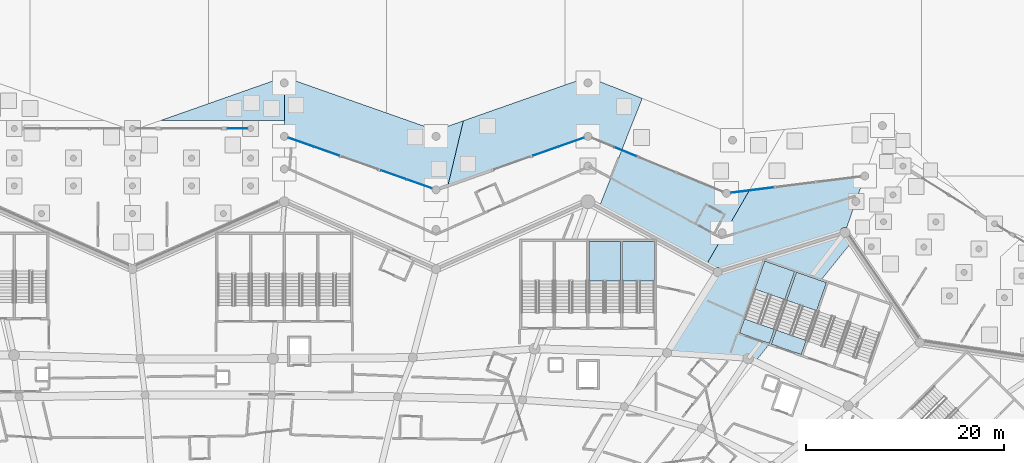
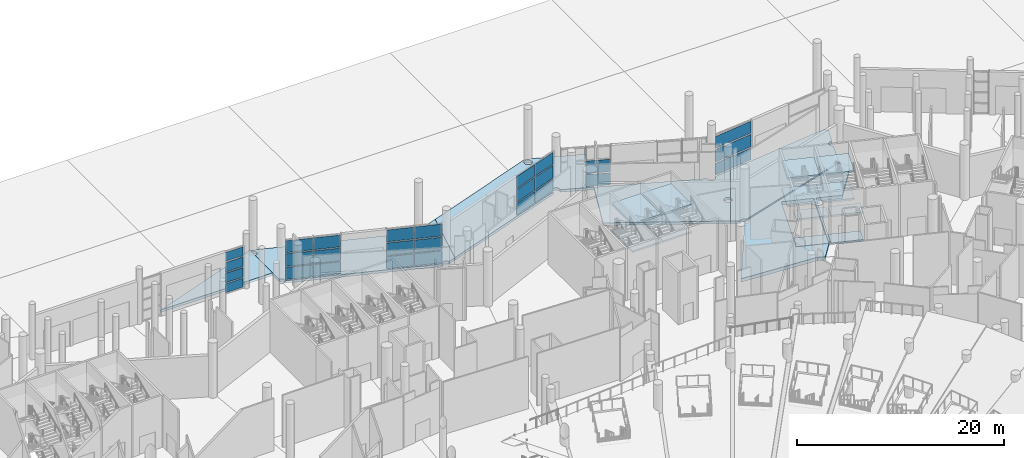
# One storey, part 97 of 255: 27 plates, 18 slabs, 10 elements without a shape of their own.
"""IFC4 building model written with IfcOpenShell, lengths in metres."""

from ifc_helpers import new_model, si_unit, direction, frame, origin, origin_2d, place, context, subcontext, project, spatial, polyline, rectangle, outline, extrude, material, layer, layer_set, type_object, element, aggregate, save


model = new_model("IFC4")

# Units and contexts
model_context = context("Model", 3, precision=1e-05, world=origin(), true_north=direction((0.0, 1.0)))
body_context = subcontext(model_context, "Body", "Model", "MODEL_VIEW")
ifc_project = project(units=[si_unit("LENGTHUNIT", "METRE"), si_unit("AREAUNIT", "SQUARE_METRE"), si_unit("VOLUMEUNIT", "CUBIC_METRE"), si_unit("PLANEANGLEUNIT", "RADIAN"), si_unit("MASSUNIT", "GRAM", prefix="KILO")], contexts=[model_context])

# Site, building, storey
site_placement = place(None, origin())
site = spatial("IfcSite", under=ifc_project, at=site_placement, CompositionType="ELEMENT")
building_placement = place(site_placement, origin())
building = spatial("IfcBuilding", under=site, at=building_placement, Name="Meseta Stadium", CompositionType="ELEMENT")
storey_placement = place(building_placement, origin())
storey = spatial("IfcBuildingStorey", under=building, at=storey_placement, Name="L00", CompositionType="ELEMENT", Elevation=0.0)

# Slabs
ifc_material_1 = material(Name="Concrete C40/50", Category="concrete")
ifc_layer_1 = layer(ifc_material_1, 0.39990234375)
ifc_layer_set_1 = layer_set([ifc_layer_1], Name="Floor slab 400")
slab_type_1 = type_object("IfcSlabType", Name="Floor slab 400", PredefinedType="FLOOR", material=ifc_layer_set_1)
slab_1_placement = place(storey_placement, frame((0.0, 0.0, -0.39990234375)))
element("IfcSlab", 1, at=slab_1_placement, inside=storey, type_object=slab_type_1, Name="Floor slab L00 sector 14 panel 15", PredefinedType="FLOOR", context=body_context, shape_type="SweptSolid", body=[
    extrude(outline(polyline([(59.399169921875, 98.2841796875), (61.8310546875, 97.43310546875), (64.961669921875, 101.312255859375), (64.297607421875, 102.291015625), (51.44140625, 98.29443359375), (46.333251953125, 90.126220703125), (54.523193359375, 89.579345703125), (55.224365234375, 89.246826171875), (57.011962890625, 91.4619140625), (59.399169921875, 98.2841796875)]), holes=[polyline([(56.667236328125, 91.082275390625), (53.646728515625, 92.13916015625), (56.18994140625, 99.406982421875), (59.21044921875, 98.35009765625), (56.667236328125, 91.082275390625)])]), origin(), (0.0, 0.0, 1.0), 0.39990234375),
])
ifc_material_2 = material(Name="Concrete C40/50", Category="concrete")
ifc_layer_2 = layer(ifc_material_2, 0.300048828125)
ifc_layer_set_2 = layer_set([ifc_layer_2], Name="Gate court paving 300")
slab_type_2 = type_object("IfcSlabType", Name="Gate court paving 300", PredefinedType="FLOOR", material=ifc_layer_set_2)
slab_2_placement = place(storey_placement, frame((0.0, 0.0, -0.300048828125)))
element("IfcSlab", 2, at=slab_2_placement, inside=storey, type_object=slab_type_2, Name="Gate 3 court paving", PredefinedType="FLOOR", context=body_context, shape_type="SweptSolid", body=[
    extrude(outline(polyline([(7.666748046875, 113.60009765625), (7.666748046875, 118.0), (-7.666748046875, 112.60009765625), (-4.8271484375, 113.60009765625), (7.666748046875, 113.60009765625)])), origin(), (0.0, 0.0, 1.0), 0.300048828125),
])
ifc_material_3 = material(Name="Concrete C40/50", Category="concrete")
ifc_layer_3 = layer(ifc_material_3, 0.300048828125)
ifc_layer_set_3 = layer_set([ifc_layer_3], Name="Passage paving slab 300")
slab_type_3 = type_object("IfcSlabType", Name="Passage paving slab 300", PredefinedType="FLOOR", material=ifc_layer_set_3)
slab_3_placement = place(storey_placement, frame((0.0, 0.0, -0.300048828125)))
element("IfcSlab", 3, at=slab_3_placement, inside=storey, type_object=slab_type_3, Name="Covered passage paving 2 panel 01", PredefinedType="FLOOR", context=body_context, shape_type="SweptSolid", body=[
    extrude(outline(polyline([(8.056396484375, 112.1044921875), (8.070068359375, 112.0), (8.056396484375, 111.8955078125), (8.04443359375, 111.866943359375), (22.622314453125, 106.733154296875), (22.650634765625, 106.8017578125), (22.714599609375, 106.88525390625), (22.79833984375, 106.949462890625), (22.8955078125, 106.98974609375), (23.0, 107.00341796875), (23.1044921875, 106.98974609375), (23.20166015625, 106.949462890625), (23.285400390625, 106.88525390625), (23.349365234375, 106.8017578125), (23.377685546875, 106.733154296875), (24.195556640625, 107.02099609375), (25.7548828125, 113.5703125), (23.0, 112.60009765625), (7.666748046875, 118.0), (7.666748046875, 117.803466796875), (7.77099609375, 117.789794921875), (7.868408203125, 117.74951171875), (7.951904296875, 117.685302734375), (8.01611328125, 117.601806640625), (8.056396484375, 117.50439453125), (8.070068359375, 117.39990234375), (8.056396484375, 117.295654296875), (8.01611328125, 117.1982421875), (7.951904296875, 117.11474609375), (7.868408203125, 117.050537109375), (7.77099609375, 117.01025390625), (7.666748046875, 116.99658203125), (7.666748046875, 112.403564453125), (7.77099609375, 112.3896484375), (7.868408203125, 112.349365234375), (7.951904296875, 112.285400390625), (8.01611328125, 112.20166015625), (8.056396484375, 112.1044921875)]), holes=[polyline([(23.1044921875, 111.6103515625), (23.0, 111.596435546875), (22.8955078125, 111.6103515625), (22.79833984375, 111.650634765625), (22.714599609375, 111.714599609375), (22.650634765625, 111.79833984375), (22.6103515625, 111.8955078125), (22.596435546875, 112.0), (22.6103515625, 112.1044921875), (22.650634765625, 112.20166015625), (22.714599609375, 112.285400390625), (22.79833984375, 112.349365234375), (22.8955078125, 112.3896484375), (23.0, 112.403564453125), (23.1044921875, 112.3896484375), (23.20166015625, 112.349365234375), (23.285400390625, 112.285400390625), (23.349365234375, 112.20166015625), (23.3896484375, 112.1044921875), (23.403564453125, 112.0), (23.3896484375, 111.8955078125), (23.349365234375, 111.79833984375), (23.285400390625, 111.714599609375), (23.20166015625, 111.650634765625), (23.1044921875, 111.6103515625)])]), origin(), (0.0, 0.0, 1.0), 0.300048828125),
])
slab_4_placement = place(storey_placement, frame((0.0, 0.0, -0.300048828125)))
element("IfcSlab", 4, at=slab_4_placement, inside=storey, type_object=slab_type_3, Name="Covered passage paving 2 panel 02", PredefinedType="FLOOR", context=body_context, shape_type="SweptSolid", body=[
    extrude(outline(polyline([(43.822509765625, 115.8330078125), (38.333251953125, 118.0), (25.7548828125, 113.5703125), (24.195556640625, 107.02099609375), (37.95556640625, 111.866943359375), (37.943603515625, 111.8955078125), (37.929931640625, 112.0), (37.943603515625, 112.1044921875), (37.98388671875, 112.20166015625), (38.048095703125, 112.285400390625), (38.131591796875, 112.349365234375), (38.22900390625, 112.3896484375), (38.333251953125, 112.403564453125), (38.437744140625, 112.3896484375), (38.53515625, 112.349365234375), (38.61865234375, 112.285400390625), (38.6826171875, 112.20166015625), (38.722900390625, 112.1044921875), (38.73681640625, 112.0), (38.722900390625, 111.8955078125), (38.703369140625, 111.847900390625), (41.7451171875, 110.59765625), (43.822509765625, 115.8330078125)]), holes=[polyline([(38.333251953125, 116.99658203125), (38.22900390625, 117.01025390625), (38.131591796875, 117.050537109375), (38.048095703125, 117.11474609375), (37.98388671875, 117.1982421875), (37.943603515625, 117.295654296875), (37.929931640625, 117.39990234375), (37.943603515625, 117.50439453125), (37.98388671875, 117.601806640625), (38.048095703125, 117.685302734375), (38.131591796875, 117.74951171875), (38.22900390625, 117.789794921875), (38.333251953125, 117.803466796875), (38.437744140625, 117.789794921875), (38.53515625, 117.74951171875), (38.61865234375, 117.685302734375), (38.6826171875, 117.601806640625), (38.722900390625, 117.50439453125), (38.73681640625, 117.39990234375), (38.722900390625, 117.295654296875), (38.6826171875, 117.1982421875), (38.61865234375, 117.11474609375), (38.53515625, 117.050537109375), (38.437744140625, 117.01025390625), (38.333251953125, 116.99658203125)])]), origin(), (0.0, 0.0, 1.0), 0.300048828125),
])

# Curtain wall, plates
ifc_material_4 = material(Name="Aluminium", Category="aluminium")
ifc_layer_4 = layer(ifc_material_4, 0.199951171875)
ifc_layer_set_4 = layer_set([ifc_layer_4], Name="Ring shopfront curtain wall")
curtain_wall_type_1 = type_object("IfcCurtainWallType", Name="Ring shopfront curtain wall", PredefinedType="NOTDEFINED", material=ifc_layer_set_4)
curtain_wall_1_placement = place(storey_placement, origin())
curtain_wall_1 = element("IfcCurtainWall", 5, at=curtain_wall_1_placement, inside=storey, type_object=curtain_wall_type_1, Name="Shopfront glazing F14b", PredefinedType="NOTDEFINED")
ifc_material_5 = material(Name="Glass", Category="glass")
ifc_layer_5 = layer(ifc_material_5, 0.035888671875)
ifc_layer_set_5 = layer_set([ifc_layer_5], Name="Ring CW glass panel 36")
plate_type = type_object("IfcPlateType", Name="Ring CW glass panel 36", PredefinedType="CURTAIN_PANEL", material=ifc_layer_set_5)
plate_1_placement = place(storey_placement, frame((54.932861328125, 106.56884765625, 0.150146484375), z_axis=(0.0, 0.0, 1.0), x_axis=(-0.992265721385, -0.124131938531, 0.0)))
plate_1 = element("IfcPlate", 6, at=plate_1_placement, type_object=plate_type, Name="CWR1 panel 1.1", PredefinedType="CURTAIN_PANEL", context=body_context, shape_type="SweptSolid", body=[
    extrude(rectangle(XDim=4.3115234375, YDim=0.035888671875, at=origin_2d()), origin(), (0.0, 0.0, 1.0), 1.3916015625),
])
plate_2_placement = place(storey_placement, frame((54.932861328125, 106.56884765625, 1.69189453125), z_axis=(0.0, 0.0, 1.0), x_axis=(-0.992265721385, -0.124131938531, 0.0)))
plate_2 = element("IfcPlate", 7, at=plate_2_placement, type_object=plate_type, Name="CWR1 panel 1.2", PredefinedType="CURTAIN_PANEL", context=body_context, shape_type="SweptSolid", body=[
    extrude(rectangle(XDim=4.3115234375, YDim=0.035888671875, at=origin_2d()), origin(), (0.0, 0.0, 1.0), 1.466552734375),
])
plate_3_placement = place(storey_placement, frame((54.932861328125, 106.56884765625, 3.308349609375), z_axis=(0.0, 0.0, 1.0), x_axis=(-0.992265721385, -0.124131938531, 0.0)))
plate_3 = element("IfcPlate", 8, at=plate_3_placement, type_object=plate_type, Name="CWR1 panel 1.3", PredefinedType="CURTAIN_PANEL", context=body_context, shape_type="SweptSolid", body=[
    extrude(rectangle(XDim=4.3115234375, YDim=0.035888671875, at=origin_2d()), origin(), (0.0, 0.0, 1.0), 1.3916015625),
])
aggregate(curtain_wall_1, [plate_1, plate_2, plate_3])

curtain_wall_2_placement = place(storey_placement, origin())
curtain_wall_2 = element("IfcCurtainWall", 9, at=curtain_wall_2_placement, inside=storey, type_object=curtain_wall_type_1, Name="Shopfront glazing F15b", PredefinedType="NOTDEFINED")
plate_4_placement = place(storey_placement, frame((42.13720703125, 110.4365234375, 0.150146484375), z_axis=(0.0, 0.0, 1.0), x_axis=(-0.924920418175, 0.380160781831, 0.0)))
plate_4 = element("IfcPlate", 10, at=plate_4_placement, type_object=plate_type, Name="CWR1 panel 1.1", PredefinedType="CURTAIN_PANEL", context=body_context, shape_type="SweptSolid", body=[
    extrude(rectangle(XDim=2.39501953125, YDim=0.035888671875, at=origin_2d()), origin(), (0.0, 0.0, 1.0), 1.3916015625),
])
plate_5_placement = place(storey_placement, frame((42.13720703125, 110.4365234375, 1.69189453125), z_axis=(0.0, 0.0, 1.0), x_axis=(-0.924920418175, 0.380160781831, 0.0)))
plate_5 = element("IfcPlate", 11, at=plate_5_placement, type_object=plate_type, Name="CWR1 panel 1.2", PredefinedType="CURTAIN_PANEL", context=body_context, shape_type="SweptSolid", body=[
    extrude(rectangle(XDim=2.39501953125, YDim=0.035888671875, at=origin_2d()), origin(), (0.0, 0.0, 1.0), 1.466552734375),
])
aggregate(curtain_wall_2, [plate_4, plate_5])

curtain_wall_3_placement = place(storey_placement, origin())
curtain_wall_3 = element("IfcCurtainWall", 12, at=curtain_wall_3_placement, inside=storey, type_object=curtain_wall_type_1, Name="Shopfront glazing F16a", PredefinedType="NOTDEFINED")
plate_6_placement = place(storey_placement, frame((36.63818359375, 111.403076171875, 0.150146484375), z_axis=(0.0, 0.0, 1.0), x_axis=(-0.94321953488, -0.332170000181, 0.0)))
plate_6 = element("IfcPlate", 13, at=plate_6_placement, type_object=plate_type, Name="CWR1 panel 1.1", PredefinedType="CURTAIN_PANEL", context=body_context, shape_type="SweptSolid", body=[
    extrude(rectangle(XDim=2.674072265625, YDim=0.035888671875, at=origin_2d()), origin(), (0.0, 0.0, 1.0), 1.3916015625),
])
plate_7_placement = place(storey_placement, frame((36.63818359375, 111.403076171875, 1.69189453125), z_axis=(0.0, 0.0, 1.0), x_axis=(-0.94321953488, -0.332170000181, 0.0)))
plate_7 = element("IfcPlate", 14, at=plate_7_placement, type_object=plate_type, Name="CWR1 panel 1.2", PredefinedType="CURTAIN_PANEL", context=body_context, shape_type="SweptSolid", body=[
    extrude(rectangle(XDim=2.674072265625, YDim=0.035888671875, at=origin_2d()), origin(), (0.0, 0.0, 1.0), 1.466552734375),
])
plate_8_placement = place(storey_placement, frame((36.63818359375, 111.403076171875, 3.308349609375), z_axis=(0.0, 0.0, 1.0), x_axis=(-0.94321953488, -0.332170000181, 0.0)))
plate_8 = element("IfcPlate", 15, at=plate_8_placement, type_object=plate_type, Name="CWR1 panel 1.3", PredefinedType="CURTAIN_PANEL", context=body_context, shape_type="SweptSolid", body=[
    extrude(rectangle(XDim=2.674072265625, YDim=0.035888671875, at=origin_2d()), origin(), (0.0, 0.0, 1.0), 1.3916015625),
])
plate_9_placement = place(storey_placement, frame((34.059326171875, 110.494873046875, 0.150146484375), z_axis=(0.0, 0.0, 1.0), x_axis=(-0.94321953488, -0.332170000181, 0.0)))
plate_9 = element("IfcPlate", 16, at=plate_9_placement, type_object=plate_type, Name="CWR1 panel 2.1", PredefinedType="CURTAIN_PANEL", context=body_context, shape_type="SweptSolid", body=[
    extrude(rectangle(XDim=2.674072265625, YDim=0.035888671875, at=origin_2d()), origin(), (0.0, 0.0, 1.0), 1.3916015625),
])
plate_10_placement = place(storey_placement, frame((34.059326171875, 110.494873046875, 1.69189453125), z_axis=(0.0, 0.0, 1.0), x_axis=(-0.94321953488, -0.332170000181, 0.0)))
plate_10 = element("IfcPlate", 17, at=plate_10_placement, type_object=plate_type, Name="CWR1 panel 2.2", PredefinedType="CURTAIN_PANEL", context=body_context, shape_type="SweptSolid", body=[
    extrude(rectangle(XDim=2.674072265625, YDim=0.035888671875, at=origin_2d()), origin(), (0.0, 0.0, 1.0), 1.466552734375),
])
plate_11_placement = place(storey_placement, frame((34.059326171875, 110.494873046875, 3.308349609375), z_axis=(0.0, 0.0, 1.0), x_axis=(-0.94321953488, -0.332170000181, 0.0)))
plate_11 = element("IfcPlate", 18, at=plate_11_placement, type_object=plate_type, Name="CWR1 panel 2.3", PredefinedType="CURTAIN_PANEL", context=body_context, shape_type="SweptSolid", body=[
    extrude(rectangle(XDim=2.674072265625, YDim=0.035888671875, at=origin_2d()), origin(), (0.0, 0.0, 1.0), 1.3916015625),
])
aggregate(curtain_wall_3, [plate_6, plate_7, plate_8, plate_9, plate_10, plate_11])

curtain_wall_4_placement = place(storey_placement, origin())
curtain_wall_4 = element("IfcCurtainWall", 19, at=curtain_wall_4_placement, inside=storey, type_object=curtain_wall_type_1, Name="Shopfront glazing F17a", PredefinedType="NOTDEFINED")
plate_12_placement = place(storey_placement, frame((21.304931640625, 107.197021484375, 0.150146484375), z_axis=(0.0, 0.0, 1.0), x_axis=(-0.94321953488, 0.332170000181, 0.0)))
plate_12 = element("IfcPlate", 20, at=plate_12_placement, type_object=plate_type, Name="CWR1 panel 1.1", PredefinedType="CURTAIN_PANEL", context=body_context, shape_type="SweptSolid", body=[
    extrude(rectangle(XDim=2.674072265625, YDim=0.035888671875, at=origin_2d()), origin(), (0.0, 0.0, 1.0), 1.3916015625),
])
plate_13_placement = place(storey_placement, frame((21.304931640625, 107.197021484375, 1.69189453125), z_axis=(0.0, 0.0, 1.0), x_axis=(-0.94321953488, 0.332170000181, 0.0)))
plate_13 = element("IfcPlate", 21, at=plate_13_placement, type_object=plate_type, Name="CWR1 panel 1.2", PredefinedType="CURTAIN_PANEL", context=body_context, shape_type="SweptSolid", body=[
    extrude(rectangle(XDim=2.674072265625, YDim=0.035888671875, at=origin_2d()), origin(), (0.0, 0.0, 1.0), 1.466552734375),
])
plate_14_placement = place(storey_placement, frame((21.304931640625, 107.197021484375, 3.308349609375), z_axis=(0.0, 0.0, 1.0), x_axis=(-0.94321953488, 0.332170000181, 0.0)))
plate_14 = element("IfcPlate", 22, at=plate_14_placement, type_object=plate_type, Name="CWR1 panel 1.3", PredefinedType="CURTAIN_PANEL", context=body_context, shape_type="SweptSolid", body=[
    extrude(rectangle(XDim=2.674072265625, YDim=0.035888671875, at=origin_2d()), origin(), (0.0, 0.0, 1.0), 1.3916015625),
])
plate_15_placement = place(storey_placement, frame((18.72607421875, 108.105224609375, 0.150146484375), z_axis=(0.0, 0.0, 1.0), x_axis=(-0.94321953488, 0.332170000181, 0.0)))
plate_15 = element("IfcPlate", 23, at=plate_15_placement, type_object=plate_type, Name="CWR1 panel 2.1", PredefinedType="CURTAIN_PANEL", context=body_context, shape_type="SweptSolid", body=[
    extrude(rectangle(XDim=2.674072265625, YDim=0.035888671875, at=origin_2d()), origin(), (0.0, 0.0, 1.0), 1.3916015625),
])
plate_16_placement = place(storey_placement, frame((18.72607421875, 108.105224609375, 1.69189453125), z_axis=(0.0, 0.0, 1.0), x_axis=(-0.94321953488, 0.332170000181, 0.0)))
plate_16 = element("IfcPlate", 24, at=plate_16_placement, type_object=plate_type, Name="CWR1 panel 2.2", PredefinedType="CURTAIN_PANEL", context=body_context, shape_type="SweptSolid", body=[
    extrude(rectangle(XDim=2.674072265625, YDim=0.035888671875, at=origin_2d()), origin(), (0.0, 0.0, 1.0), 1.466552734375),
])
plate_17_placement = place(storey_placement, frame((18.72607421875, 108.105224609375, 3.308349609375), z_axis=(0.0, 0.0, 1.0), x_axis=(-0.94321953488, 0.332170000181, 0.0)))
plate_17 = element("IfcPlate", 25, at=plate_17_placement, type_object=plate_type, Name="CWR1 panel 2.3", PredefinedType="CURTAIN_PANEL", context=body_context, shape_type="SweptSolid", body=[
    extrude(rectangle(XDim=2.674072265625, YDim=0.035888671875, at=origin_2d()), origin(), (0.0, 0.0, 1.0), 1.3916015625),
])
aggregate(curtain_wall_4, [plate_12, plate_13, plate_14, plate_15, plate_16, plate_17])

curtain_wall_5_placement = place(storey_placement, origin())
curtain_wall_5 = element("IfcCurtainWall", 26, at=curtain_wall_5_placement, inside=storey, type_object=curtain_wall_type_1, Name="Shopfront glazing F17b", PredefinedType="NOTDEFINED")
plate_18_placement = place(storey_placement, frame((11.940673828125, 110.494873046875, 0.150146484375), z_axis=(0.0, 0.0, 1.0), x_axis=(-0.94321953488, 0.332170000181, 0.0)))
plate_18 = element("IfcPlate", 27, at=plate_18_placement, type_object=plate_type, Name="CWR1 panel 1.1", PredefinedType="CURTAIN_PANEL", context=body_context, shape_type="SweptSolid", body=[
    extrude(rectangle(XDim=2.674072265625, YDim=0.035888671875, at=origin_2d()), origin(), (0.0, 0.0, 1.0), 1.3916015625),
])
plate_19_placement = place(storey_placement, frame((11.940673828125, 110.494873046875, 1.69189453125), z_axis=(0.0, 0.0, 1.0), x_axis=(-0.94321953488, 0.332170000181, 0.0)))
plate_19 = element("IfcPlate", 28, at=plate_19_placement, type_object=plate_type, Name="CWR1 panel 1.2", PredefinedType="CURTAIN_PANEL", context=body_context, shape_type="SweptSolid", body=[
    extrude(rectangle(XDim=2.674072265625, YDim=0.035888671875, at=origin_2d()), origin(), (0.0, 0.0, 1.0), 1.466552734375),
])
plate_20_placement = place(storey_placement, frame((11.940673828125, 110.494873046875, 3.308349609375), z_axis=(0.0, 0.0, 1.0), x_axis=(-0.94321953488, 0.332170000181, 0.0)))
plate_20 = element("IfcPlate", 29, at=plate_20_placement, type_object=plate_type, Name="CWR1 panel 1.3", PredefinedType="CURTAIN_PANEL", context=body_context, shape_type="SweptSolid", body=[
    extrude(rectangle(XDim=2.674072265625, YDim=0.035888671875, at=origin_2d()), origin(), (0.0, 0.0, 1.0), 1.3916015625),
])
plate_21_placement = place(storey_placement, frame((9.36181640625, 111.403076171875, 0.150146484375), z_axis=(0.0, 0.0, 1.0), x_axis=(-0.94321953488, 0.332170000181, 0.0)))
plate_21 = element("IfcPlate", 30, at=plate_21_placement, type_object=plate_type, Name="CWR1 panel 2.1", PredefinedType="CURTAIN_PANEL", context=body_context, shape_type="SweptSolid", body=[
    extrude(rectangle(XDim=2.674072265625, YDim=0.035888671875, at=origin_2d()), origin(), (0.0, 0.0, 1.0), 1.3916015625),
])
plate_22_placement = place(storey_placement, frame((9.36181640625, 111.403076171875, 1.69189453125), z_axis=(0.0, 0.0, 1.0), x_axis=(-0.94321953488, 0.332170000181, 0.0)))
plate_22 = element("IfcPlate", 31, at=plate_22_placement, type_object=plate_type, Name="CWR1 panel 2.2", PredefinedType="CURTAIN_PANEL", context=body_context, shape_type="SweptSolid", body=[
    extrude(rectangle(XDim=2.674072265625, YDim=0.035888671875, at=origin_2d()), origin(), (0.0, 0.0, 1.0), 1.466552734375),
])
plate_23_placement = place(storey_placement, frame((9.36181640625, 111.403076171875, 3.308349609375), z_axis=(0.0, 0.0, 1.0), x_axis=(-0.94321953488, 0.332170000181, 0.0)))
plate_23 = element("IfcPlate", 32, at=plate_23_placement, type_object=plate_type, Name="CWR1 panel 2.3", PredefinedType="CURTAIN_PANEL", context=body_context, shape_type="SweptSolid", body=[
    extrude(rectangle(XDim=2.674072265625, YDim=0.035888671875, at=origin_2d()), origin(), (0.0, 0.0, 1.0), 1.3916015625),
])
aggregate(curtain_wall_5, [plate_18, plate_19, plate_20, plate_21, plate_22, plate_23])

ifc_material_6 = material(Name="Aluminium", Category="aluminium")
ifc_layer_6 = layer(ifc_material_6, 0.199951171875)
ifc_layer_set_6 = layer_set([ifc_layer_6], Name="Gate hall curtain wall")
curtain_wall_type_2 = type_object("IfcCurtainWallType", Name="Gate hall curtain wall", PredefinedType="NOTDEFINED", material=ifc_layer_set_6)
curtain_wall_6_placement = place(storey_placement, origin())
curtain_wall_6 = element("IfcCurtainWall", 33, at=curtain_wall_6_placement, inside=storey, type_object=curtain_wall_type_2, Name="Gate 3 glazing", PredefinedType="NOTDEFINED")
plate_24_placement = place(storey_placement, frame((2.933349609375, 112.800048828125, 0.14990234375), z_axis=(0.0, 0.0, 1.0), x_axis=(-1.0, 0.0, 0.0)))
plate_24 = element("IfcPlate", 34, at=plate_24_placement, type_object=plate_type, Name="CWG1 panel 1.1", PredefinedType="CURTAIN_PANEL", context=body_context, shape_type="SweptSolid", body=[
    extrude(rectangle(XDim=1.94677734375, YDim=0.035888671875, at=origin_2d()), origin(), (0.0, 0.0, 1.0), 1.03759765625),
])
plate_25_placement = place(storey_placement, frame((2.933349609375, 112.800048828125, 1.33740234375), z_axis=(0.0, 0.0, 1.0), x_axis=(-1.0, 0.0, 0.0)))
plate_25 = element("IfcPlate", 35, at=plate_25_placement, type_object=plate_type, Name="CWG1 panel 1.2", PredefinedType="CURTAIN_PANEL", context=body_context, shape_type="SweptSolid", body=[
    extrude(rectangle(XDim=1.94677734375, YDim=0.035888671875, at=origin_2d()), origin(), (0.0, 0.0, 1.0), 1.112548828125),
])
plate_26_placement = place(storey_placement, frame((2.933349609375, 112.800048828125, 2.60009765625), z_axis=(0.0, 0.0, 1.0), x_axis=(-1.0, 0.0, 0.0)))
plate_26 = element("IfcPlate", 36, at=plate_26_placement, type_object=plate_type, Name="CWG1 panel 1.3", PredefinedType="CURTAIN_PANEL", context=body_context, shape_type="SweptSolid", body=[
    extrude(rectangle(XDim=1.94677734375, YDim=0.035888671875, at=origin_2d()), origin(), (0.0, 0.0, 1.0), 1.112548828125),
])
plate_27_placement = place(storey_placement, frame((2.933349609375, 112.800048828125, 3.862548828125), z_axis=(0.0, 0.0, 1.0), x_axis=(-1.0, 0.0, 0.0)))
plate_27 = element("IfcPlate", 37, at=plate_27_placement, type_object=plate_type, Name="CWG1 panel 1.4", PredefinedType="CURTAIN_PANEL", context=body_context, shape_type="SweptSolid", body=[
    extrude(rectangle(XDim=1.94677734375, YDim=0.035888671875, at=origin_2d()), origin(), (0.0, 0.0, 1.0), 1.03759765625),
])
aggregate(curtain_wall_6, [plate_24, plate_25, plate_26, plate_27])

# Slabs
ifc_material_7 = material(Name="Concrete C30/37", Category="concrete")
ifc_layer_7 = layer(ifc_material_7, 0.300048828125)
ifc_layer_set_7 = layer_set([ifc_layer_7], Name="Ring grade slab 300")
slab_type_4 = type_object("IfcSlabType", Name="Ring grade slab 300", PredefinedType="BASESLAB", material=ifc_layer_set_7)
slab_5_placement = place(storey_placement, frame((0.0, 0.0, -0.300048828125)))
element("IfcSlab", 38, at=slab_5_placement, inside=storey, type_object=slab_type_4, Name="Ring ground floor slab 2 panel 03", PredefinedType="BASESLAB", context=body_context, shape_type="SweptSolid", body=[
    extrude(outline(polyline([(51.947509765625, 106.348388671875), (51.96728515625, 106.396240234375), (41.7451171875, 110.59765625), (39.49951171875, 104.9384765625), (50.3193359375, 99.0732421875), (51.937255859375, 101.8720703125), (51.889404296875, 101.86572265625), (51.784912109375, 101.879638671875), (51.6875, 101.919921875), (51.60400390625, 101.98388671875), (51.539794921875, 102.0673828125), (51.49951171875, 102.164794921875), (51.48583984375, 102.269287109375), (51.49951171875, 102.373779296875), (51.539794921875, 102.470947265625), (51.60400390625, 102.554443359375), (51.6875, 102.61865234375), (51.784912109375, 102.658935546875), (51.889404296875, 102.672607421875), (51.993896484375, 102.658935546875), (52.091064453125, 102.61865234375), (52.174560546875, 102.554443359375), (52.23876953125, 102.470947265625), (52.25732421875, 102.426025390625), (54.630126953125, 106.531005859375), (52.734130859375, 106.293701171875), (52.740478515625, 106.244140625), (52.726806640625, 106.1396484375), (52.6865234375, 106.04248046875), (52.62255859375, 105.958740234375), (52.538818359375, 105.894775390625), (52.441650390625, 105.8544921875), (52.337158203125, 105.8408203125), (52.23291015625, 105.8544921875), (52.135498046875, 105.894775390625), (52.052001953125, 105.958740234375), (51.98779296875, 106.04248046875), (51.947509765625, 106.1396484375), (51.93359375, 106.244140625), (51.947509765625, 106.348388671875)])), origin(), (0.0, 0.0, 1.0), 0.300048828125),
])
slab_6_placement = place(storey_placement, frame((0.0, 0.0, -0.300048828125)))
element("IfcSlab", 39, at=slab_6_placement, inside=storey, type_object=slab_type_4, Name="Ring ground floor slab 2 panel 04", PredefinedType="BASESLAB", context=body_context, shape_type="SweptSolid", body=[
    extrude(outline(polyline([(65.90185546875, 107.885498046875), (65.89453125, 107.940185546875), (54.630126953125, 106.531005859375), (52.25732421875, 102.426025390625), (52.279052734375, 102.373779296875), (52.292724609375, 102.269287109375), (52.279052734375, 102.164794921875), (52.23876953125, 102.0673828125), (52.174560546875, 101.98388671875), (52.091064453125, 101.919921875), (51.993896484375, 101.879638671875), (51.937255859375, 101.8720703125), (50.3193359375, 99.0732421875), (51.138671875, 98.629150390625), (51.214599609375, 98.6875), (51.323974609375, 98.73291015625), (51.44140625, 98.748291015625), (51.558837890625, 98.73291015625), (51.66845703125, 98.6875), (51.762451171875, 98.615478515625), (51.802001953125, 98.563720703125), (63.793212890625, 102.29150390625), (63.810302734375, 102.421630859375), (63.860595703125, 102.543212890625), (63.94091796875, 102.647705078125), (64.04541015625, 102.727783203125), (64.1669921875, 102.7783203125), (64.297607421875, 102.79541015625), (64.427978515625, 102.7783203125), (64.462890625, 102.763916015625), (65.26123046875, 105.045654296875), (65.19189453125, 105.07421875), (65.1083984375, 105.138427734375), (65.044189453125, 105.221923828125), (65.00390625, 105.3193359375), (64.989990234375, 105.423583984375), (65.00390625, 105.528076171875), (65.044189453125, 105.62548828125), (65.1083984375, 105.708984375), (65.19189453125, 105.773193359375), (65.289306640625, 105.8134765625), (65.3935546875, 105.8271484375), (65.498046875, 105.8134765625), (65.52587890625, 105.802001953125), (66.1591796875, 107.61181640625), (66.08984375, 107.640380859375), (66.00634765625, 107.70458984375), (65.942138671875, 107.7880859375), (65.90185546875, 107.885498046875)])), origin(), (0.0, 0.0, 1.0), 0.300048828125),
])

# Stair, slabs
ifc_material_8 = material(Name="Concrete C40/50", Category="concrete")
stair_type = type_object("IfcStairType", Name="Exit stair 4 flights 148 mm risers", PredefinedType="HALF_TURN_STAIR", material=ifc_material_8)
stair_1_placement = place(storey_placement, origin())
stair_1 = element("IfcStair", 40, at=stair_1_placement, inside=storey, type_object=stair_type, Name="ST31 L00", PredefinedType="HALF_TURN_STAIR")
ifc_material_9 = material(Name="Concrete C40/50", Category="concrete")
ifc_layer_8 = layer(ifc_material_9, 0.199951171875)
ifc_layer_set_8 = layer_set([ifc_layer_8], Name="Stair landing 200")
slab_type_5 = type_object("IfcSlabType", Name="Stair landing 200", PredefinedType="LANDING", material=ifc_layer_set_8)
slab_7_placement = place(storey_placement, frame((0.0, 0.0, 1.425048828125)))
slab_7 = element("IfcSlab", 41, at=slab_7_placement, type_object=slab_type_5, Name="ST31 L00 landing 1", PredefinedType="LANDING", context=body_context, shape_type="SweptSolid", body=[
    extrude(outline(polyline([(61.425537109375, 94.385986328125), (62.419677734375, 97.227294921875), (59.399169921875, 98.2841796875), (58.405029296875, 95.443115234375), (61.425537109375, 94.385986328125)])), origin(), (0.0, 0.0, 1.0), 0.199951171875),
])
slab_8_placement = place(storey_placement, frame((0.0, 0.0, 3.050048828125)))
slab_8 = element("IfcSlab", 42, at=slab_8_placement, type_object=slab_type_5, Name="ST31 L00 landing 2", PredefinedType="LANDING", context=body_context, shape_type="SweptSolid", body=[
    extrude(outline(polyline([(59.87646484375, 89.959228515625), (60.375244140625, 91.384521484375), (57.354736328125, 92.44140625), (56.85595703125, 91.01611328125), (59.87646484375, 89.959228515625)])), origin(), (0.0, 0.0, 1.0), 0.199951171875),
])
slab_9_placement = place(storey_placement, frame((0.0, 0.0, 4.675048828125)))
slab_9 = element("IfcSlab", 43, at=slab_9_placement, type_object=slab_type_5, Name="ST31 L00 landing 3", PredefinedType="LANDING", context=body_context, shape_type="SweptSolid", body=[
    extrude(outline(polyline([(61.425537109375, 94.385986328125), (62.419677734375, 97.227294921875), (59.399169921875, 98.2841796875), (58.405029296875, 95.443115234375), (61.425537109375, 94.385986328125)])), origin(), (0.0, 0.0, 1.0), 0.199951171875),
])
slab_10_placement = place(storey_placement, frame((0.0, 0.0, -0.199951171875)))
slab_10 = element("IfcSlab", 44, at=slab_10_placement, type_object=slab_type_5, Name="ST31 L00 landing 4", PredefinedType="LANDING", context=body_context, shape_type="SweptSolid", body=[
    extrude(outline(polyline([(59.87646484375, 89.959228515625), (60.375244140625, 91.384521484375), (57.354736328125, 92.44140625), (56.85595703125, 91.01611328125), (59.87646484375, 89.959228515625)])), origin(), (0.0, 0.0, 1.0), 0.199951171875),
])
aggregate(stair_1, [slab_7, slab_8, slab_9, slab_10])

stair_2_placement = place(storey_placement, origin())
stair_2 = element("IfcStair", 45, at=stair_2_placement, inside=storey, type_object=stair_type, Name="ST32 L00", PredefinedType="HALF_TURN_STAIR")
slab_11_placement = place(storey_placement, frame((0.0, 0.0, 1.425048828125)))
slab_11 = element("IfcSlab", 46, at=slab_11_placement, type_object=slab_type_5, Name="ST32 L00 landing 1", PredefinedType="LANDING", context=body_context, shape_type="SweptSolid", body=[
    extrude(outline(polyline([(58.21630859375, 95.509033203125), (59.21044921875, 98.35009765625), (56.18994140625, 99.406982421875), (55.19580078125, 96.56591796875), (58.21630859375, 95.509033203125)])), origin(), (0.0, 0.0, 1.0), 0.199951171875),
])
slab_12_placement = place(storey_placement, frame((0.0, 0.0, 3.050048828125)))
slab_12 = element("IfcSlab", 47, at=slab_12_placement, type_object=slab_type_5, Name="ST32 L00 landing 2", PredefinedType="LANDING", context=body_context, shape_type="SweptSolid", body=[
    extrude(outline(polyline([(56.667236328125, 91.082275390625), (57.166015625, 92.507568359375), (54.1455078125, 93.564453125), (53.646728515625, 92.13916015625), (56.667236328125, 91.082275390625)])), origin(), (0.0, 0.0, 1.0), 0.199951171875),
])
slab_13_placement = place(storey_placement, frame((0.0, 0.0, 4.675048828125)))
slab_13 = element("IfcSlab", 48, at=slab_13_placement, type_object=slab_type_5, Name="ST32 L00 landing 3", PredefinedType="LANDING", context=body_context, shape_type="SweptSolid", body=[
    extrude(outline(polyline([(58.21630859375, 95.509033203125), (59.21044921875, 98.35009765625), (56.18994140625, 99.406982421875), (55.19580078125, 96.56591796875), (58.21630859375, 95.509033203125)])), origin(), (0.0, 0.0, 1.0), 0.199951171875),
])
slab_14_placement = place(storey_placement, frame((0.0, 0.0, -0.199951171875)))
slab_14 = element("IfcSlab", 49, at=slab_14_placement, type_object=slab_type_5, Name="ST32 L00 landing 4", PredefinedType="LANDING", context=body_context, shape_type="SweptSolid", body=[
    extrude(outline(polyline([(56.667236328125, 91.082275390625), (57.166015625, 92.507568359375), (54.1455078125, 93.564453125), (53.646728515625, 92.13916015625), (56.667236328125, 91.082275390625)])), origin(), (0.0, 0.0, 1.0), 0.199951171875),
])
aggregate(stair_2, [slab_11, slab_12, slab_13, slab_14])

stair_3_placement = place(storey_placement, origin())
stair_3 = element("IfcStair", 50, at=stair_3_placement, inside=storey, type_object=stair_type, Name="ST33 L00", PredefinedType="HALF_TURN_STAIR")
slab_15_placement = place(storey_placement, frame((0.0, 0.0, 1.425048828125)))
slab_15 = element("IfcSlab", 51, at=slab_15_placement, type_object=slab_type_5, Name="ST33 L00 landing 1", PredefinedType="LANDING", context=body_context, shape_type="SweptSolid", body=[
    extrude(outline(polyline([(45.033447265625, 97.389892578125), (45.033447265625, 101.39990234375), (41.833251953125, 101.39990234375), (41.833251953125, 97.389892578125), (45.033447265625, 97.389892578125)])), origin(), (0.0, 0.0, 1.0), 0.199951171875),
])
slab_16_placement = place(storey_placement, frame((0.0, 0.0, 4.675048828125)))
slab_16 = element("IfcSlab", 52, at=slab_16_placement, type_object=slab_type_5, Name="ST33 L00 landing 3", PredefinedType="LANDING", context=body_context, shape_type="SweptSolid", body=[
    extrude(outline(polyline([(45.033447265625, 97.389892578125), (45.033447265625, 101.39990234375), (41.833251953125, 101.39990234375), (41.833251953125, 97.389892578125), (45.033447265625, 97.389892578125)])), origin(), (0.0, 0.0, 1.0), 0.199951171875),
])
aggregate(stair_3, [slab_15, slab_16])

stair_4_placement = place(storey_placement, origin())
stair_4 = element("IfcStair", 53, at=stair_4_placement, inside=storey, type_object=stair_type, Name="ST34 L00", PredefinedType="HALF_TURN_STAIR")
slab_17_placement = place(storey_placement, frame((0.0, 0.0, 1.425048828125)))
slab_17 = element("IfcSlab", 54, at=slab_17_placement, type_object=slab_type_5, Name="ST34 L00 landing 1", PredefinedType="LANDING", context=body_context, shape_type="SweptSolid", body=[
    extrude(outline(polyline([(41.63330078125, 97.389892578125), (41.63330078125, 101.39990234375), (38.433349609375, 101.39990234375), (38.433349609375, 97.389892578125), (41.63330078125, 97.389892578125)])), origin(), (0.0, 0.0, 1.0), 0.199951171875),
])
slab_18_placement = place(storey_placement, frame((0.0, 0.0, 4.675048828125)))
slab_18 = element("IfcSlab", 55, at=slab_18_placement, type_object=slab_type_5, Name="ST34 L00 landing 3", PredefinedType="LANDING", context=body_context, shape_type="SweptSolid", body=[
    extrude(outline(polyline([(41.63330078125, 97.389892578125), (41.63330078125, 101.39990234375), (38.433349609375, 101.39990234375), (38.433349609375, 97.389892578125), (41.63330078125, 97.389892578125)])), origin(), (0.0, 0.0, 1.0), 0.199951171875),
])
aggregate(stair_4, [slab_17, slab_18])

save(model, "model.ifc")
